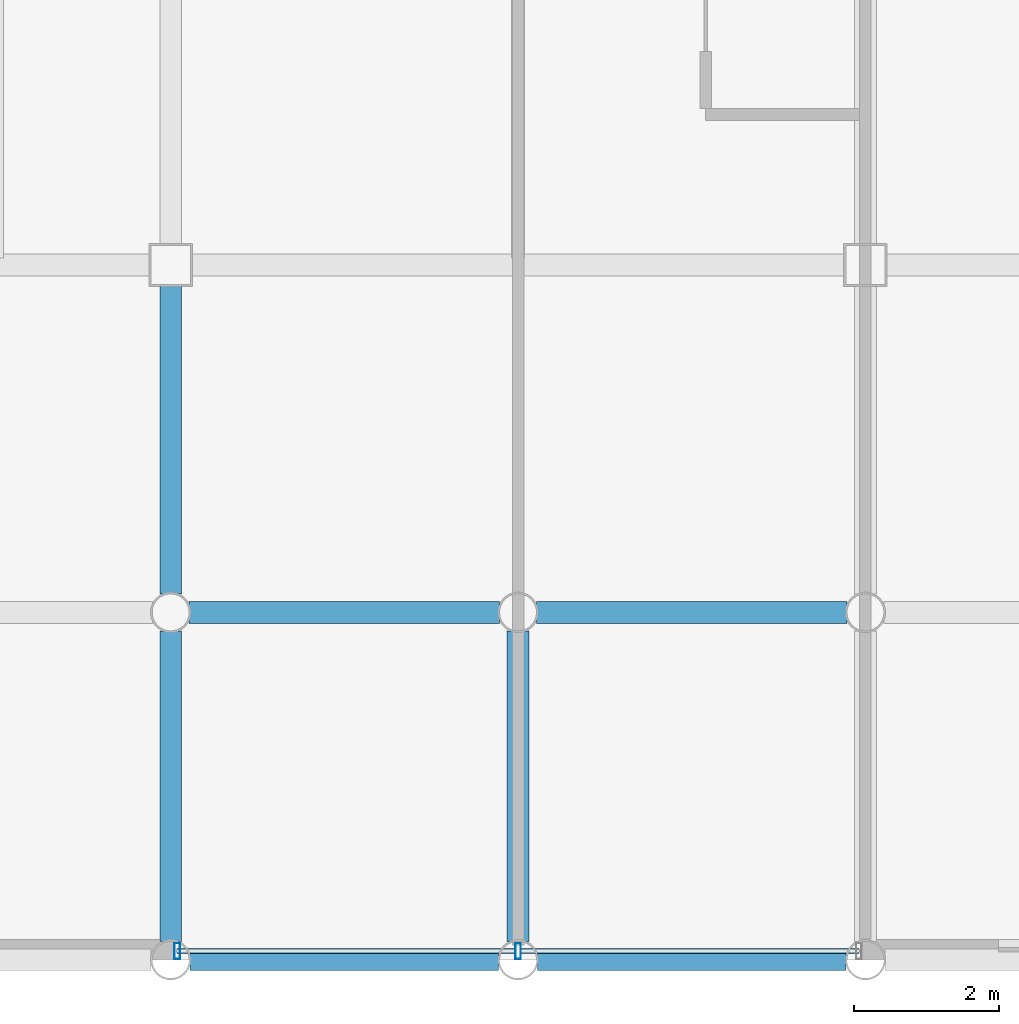
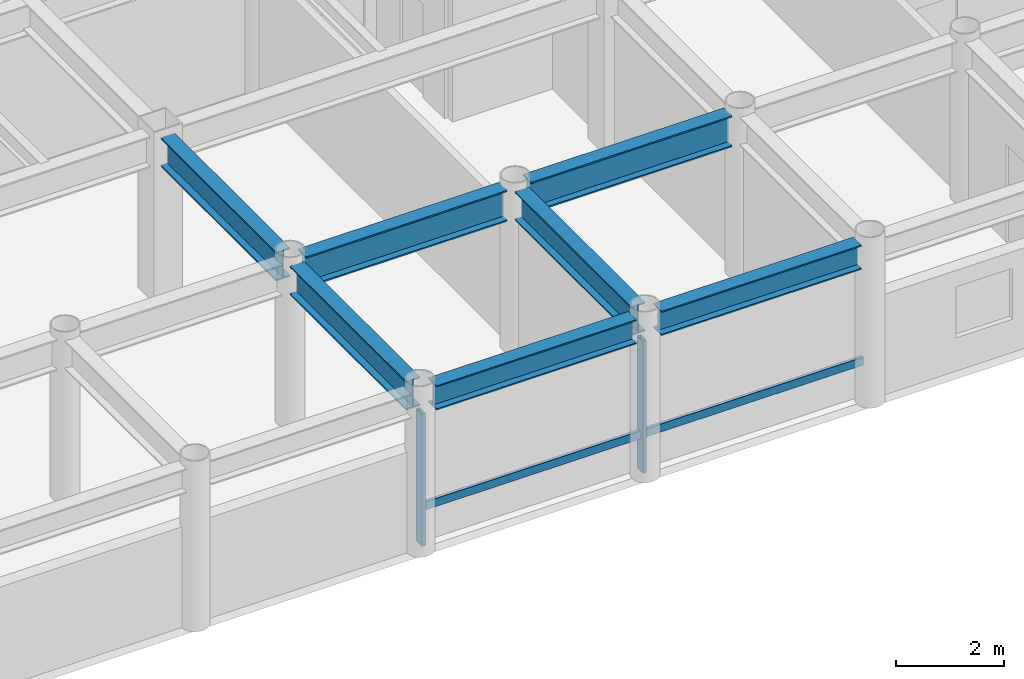
# One storey, part 4 of 22: 7 beams, 4 members, 1 element without a shape of its own.
"""IFC4 building model written with IfcOpenShell, lengths in metres."""

from ifc_helpers import new_model, si_unit, direction, frame, origin, origin_2d, place, context, subcontext, project, spatial, hollow_rectangle, i_section, extrude, material, layer, layer_set, material_profile, profile_set, type_object, element, aggregate, save


model = new_model("IFC4")

# Units and contexts
model_context = context("Model", 3, precision=1e-05, world=origin(), true_north=direction((0.0, 1.0)))
body_context = subcontext(model_context, "Body", "Model", "MODEL_VIEW")
ifc_project = project(units=[si_unit("LENGTHUNIT", "METRE"), si_unit("AREAUNIT", "SQUARE_METRE"), si_unit("VOLUMEUNIT", "CUBIC_METRE"), si_unit("PLANEANGLEUNIT", "RADIAN"), si_unit("MASSUNIT", "GRAM", prefix="KILO")], contexts=[model_context])

# Site, building, storey
site_placement = place(None, origin())
site = spatial("IfcSite", under=ifc_project, at=site_placement, CompositionType="ELEMENT")
building_placement = place(site_placement, origin())
building = spatial("IfcBuilding", under=site, at=building_placement, Name="Kallvorn Hotel Tower", CompositionType="ELEMENT")
storey_placement = place(building_placement, frame((0.0, 0.0, 206.89990234375)))
storey = spatial("IfcBuildingStorey", under=building, at=storey_placement, Name="L51", CompositionType="ELEMENT", Elevation=206.89990234375)

# Beams
ifc_material_1 = material(Name="Structural steel S355JR", Category="steel")
ifc_material_profile_1 = material_profile(ifc_material_1, i_section(OverallWidth=0.300048828125, OverallDepth=0.550048828125, WebThickness=0.014892578125, FlangeThickness=0.029052734375, at=origin_2d()), Name="HE 550 B")
ifc_profile_set_1 = profile_set([ifc_material_profile_1], Name="Structural steel S355JR")
beam_type_1 = type_object("IfcBeamType", Name="BM_HE550B", PredefinedType="SPANDREL", material=ifc_profile_set_1)
for number, where, z_axis, x_axis, name in (
    (1, (-4.530517578125, -24.0, 3.39501953125), (1.0, 0.0, 0.0), (0.0, 1.0, 0.0), "L52 Perimeter Spandrel 155"),
    (2, (0.26953125, -24.0, 3.39501953125), (1.0, 0.0, 0.0), (0.0, 1.0, 0.0), "L52 Perimeter Spandrel 156"),
):
    element("IfcBeam", number, at=place(storey_placement, frame(where, z_axis=z_axis, x_axis=x_axis)), inside=storey, type_object=beam_type_1, Name=name, PredefinedType="SPANDREL", context=body_context, shape_type="SweptSolid", body=[
        extrude(i_section(OverallWidth=0.300048828125, OverallDepth=0.550048828125, WebThickness=0.014892578125, FlangeThickness=0.029052734375, at=origin_2d()), origin(), (0.0, 0.0, 1.0), 4.260986328125),
    ])
ifc_material_2 = material(Name="Structural steel S355JR", Category="steel")
ifc_material_profile_2 = material_profile(ifc_material_2, i_section(OverallWidth=0.300048828125, OverallDepth=0.64990234375, WebThickness=0.01611328125, FlangeThickness=0.031005859375, at=origin_2d()), Name="HE 650 B")
ifc_profile_set_2 = profile_set([ifc_material_profile_2], Name="Structural steel S355JR")
beam_type_2 = type_object("IfcBeamType", Name="BM_HE650B", PredefinedType="BEAM", material=ifc_profile_set_2)
beam_1_placement = place(storey_placement, frame((-4.800048828125, -23.74560546875, 3.34521484375), z_axis=(0.0, 1.0, 0.0), x_axis=(-1.0, 0.0, 0.0)))
element("IfcBeam", 3, at=beam_1_placement, inside=storey, type_object=beam_type_2, Name="L52 Primary Y-Girder 105", PredefinedType="BEAM", context=body_context, shape_type="SweptSolid", body=[
    extrude(i_section(OverallWidth=0.300048828125, OverallDepth=0.64990234375, WebThickness=0.01611328125, FlangeThickness=0.031005859375, at=origin_2d()), origin(), (0.0, 0.0, 1.0), 4.291015625),
])
beam_2_placement = place(storey_placement, frame((-4.800048828125, -18.945556640625, 3.34521484375), z_axis=(0.0, 1.0, 0.0), x_axis=(-1.0, 0.0, 0.0)))
element("IfcBeam", 4, at=beam_2_placement, inside=storey, type_object=beam_type_2, Name="L52 Primary Y-Girder 106", PredefinedType="BEAM", context=body_context, shape_type="SweptSolid", body=[
    extrude(i_section(OverallWidth=0.300048828125, OverallDepth=0.64990234375, WebThickness=0.01611328125, FlangeThickness=0.031005859375, at=origin_2d()), origin(), (0.0, 0.0, 1.0), 4.2705078125),
])
beam_3_placement = place(storey_placement, frame((0.0, -23.74560546875, 3.34521484375), z_axis=(0.0, 1.0, 0.0), x_axis=(-1.0, 0.0, 0.0)))
element("IfcBeam", 5, at=beam_3_placement, inside=storey, type_object=beam_type_2, Name="L52 Primary Y-Girder 110", PredefinedType="BEAM", context=body_context, shape_type="SweptSolid", body=[
    extrude(i_section(OverallWidth=0.300048828125, OverallDepth=0.64990234375, WebThickness=0.01611328125, FlangeThickness=0.031005859375, at=origin_2d()), origin(), (0.0, 0.0, 1.0), 4.291015625),
])
ifc_material_3 = material(Name="Structural steel S355JR", Category="steel")
ifc_material_profile_3 = material_profile(ifc_material_3, i_section(OverallWidth=0.300048828125, OverallDepth=0.699951171875, WebThickness=0.01708984375, FlangeThickness=0.031982421875, at=origin_2d()), Name="HE 700 B")
ifc_profile_set_3 = profile_set([ifc_material_profile_3], Name="Structural steel S355JR")
beam_type_3 = type_object("IfcBeamType", Name="BM_HE700B", PredefinedType="BEAM", material=ifc_profile_set_3)
for number, where, z_axis, x_axis, name in (
    (6, (-4.54541015625, -19.199951171875, 3.320068359375), (1.0, 0.0, 0.0), (0.0, 1.0, 0.0), "L52 Primary X-Girder 06"),
    (7, (0.25439453125, -19.199951171875, 3.320068359375), (1.0, 0.0, 0.0), (0.0, 1.0, 0.0), "L52 Primary X-Girder 07"),
):
    element("IfcBeam", number, at=place(storey_placement, frame(where, z_axis=z_axis, x_axis=x_axis)), inside=storey, type_object=beam_type_3, Name=name, PredefinedType="BEAM", context=body_context, shape_type="SweptSolid", body=[
        extrude(i_section(OverallWidth=0.300048828125, OverallDepth=0.699951171875, WebThickness=0.01708984375, FlangeThickness=0.031982421875, at=origin_2d()), origin(), (0.0, 0.0, 1.0), 4.291015625),
    ])

# Curtain wall, members
ifc_material_4 = material(Name="Thermally broken black-anodised aluminium AA 6063-T6", Category="aluminium")
ifc_layer = layer(ifc_material_4, 0.22998046875)
ifc_layer_set = layer_set([ifc_layer], Name="CW_SYS_5_HOTEL_HIGH")
curtain_wall_type = type_object("IfcCurtainWallType", Name="CW_SYS_5_HOTEL_HIGH", PredefinedType="USERDEFINED", material=ifc_layer_set)
curtain_wall_placement = place(storey_placement, origin())
curtain_wall = element("IfcCurtainWall", 8, at=curtain_wall_placement, inside=storey, type_object=curtain_wall_type, Name="L51 Dark-Glass Curtain Wall CW-L51-SC", ObjectType="UNITISED CURTAIN WALL", PredefinedType="USERDEFINED")
ifc_material_5 = material(Name="Thermally broken black-anodised aluminium AA 6063-T6", Category="aluminium")
ifc_material_profile_4 = material_profile(ifc_material_5, hollow_rectangle(XDim=0.080078125, YDim=0.219970703125, WallThickness=0.0048828125, at=origin_2d()), Name="MUL 220x80")
ifc_profile_set_4 = profile_set([ifc_material_profile_4], Name="Thermally broken black-anodised aluminium AA 6063-T6")
member_type_1 = type_object("IfcMemberType", Name="CW_MULLION_220x80", PredefinedType="MULLION", material=ifc_profile_set_4)
member_1_placement = place(storey_placement, frame((-4.7099609375, -23.8798828125, 0.02001953125), z_axis=(0.0, 0.0, 1.0), x_axis=(1.0, 0.0, 0.0)))
member_1 = element("IfcMember", 9, at=member_1_placement, type_object=member_type_1, Name="CW-L51-SC Mullion 00", PredefinedType="MULLION", context=body_context, shape_type="SweptSolid", body=[
    extrude(hollow_rectangle(XDim=0.080078125, YDim=0.219970703125, WallThickness=0.0048828125, at=origin_2d()), origin(), (0.0, 0.0, 1.0), 2.97998046875),
])
member_2_placement = place(storey_placement, frame((0.0, -23.8798828125, 0.02001953125), z_axis=(0.0, 0.0, 1.0), x_axis=(1.0, 0.0, 0.0)))
member_2 = element("IfcMember", 10, at=member_2_placement, type_object=member_type_1, Name="CW-L51-SC Mullion 01", PredefinedType="MULLION", context=body_context, shape_type="SweptSolid", body=[
    extrude(hollow_rectangle(XDim=0.080078125, YDim=0.219970703125, WallThickness=0.0048828125, at=origin_2d()), origin(), (0.0, 0.0, 1.0), 2.97998046875),
])
ifc_material_6 = material(Name="Thermally broken black-anodised aluminium AA 6063-T6", Category="aluminium")
ifc_material_profile_5 = material_profile(ifc_material_6, hollow_rectangle(XDim=0.070068359375, YDim=0.179931640625, WallThickness=0.00390625, at=origin_2d()), Name="TRN 180x70")
ifc_profile_set_5 = profile_set([ifc_material_profile_5], Name="Thermally broken black-anodised aluminium AA 6063-T6")
member_type_2 = type_object("IfcMemberType", Name="CW_TRANSOM_180x70", PredefinedType="USERDEFINED", material=ifc_profile_set_5)
member_3_placement = place(storey_placement, frame((-4.7099609375, -23.8798828125, 0.85009765625), z_axis=(1.0, 0.0, 0.0), x_axis=(0.0, 1.0, 0.0)))
member_3 = element("IfcMember", 11, at=member_3_placement, type_object=member_type_2, Name="CW-L51-SC Transom 00M", ObjectType="TRANSOM", PredefinedType="USERDEFINED", context=body_context, shape_type="SweptSolid", body=[
    extrude(hollow_rectangle(XDim=0.070068359375, YDim=0.179931640625, WallThickness=0.00390625, at=origin_2d()), origin(), (0.0, 0.0, 1.0), 4.669921875),
])
member_4_placement = place(storey_placement, frame((0.0400390625, -23.8798828125, 0.85009765625), z_axis=(1.0, 0.0, 0.0), x_axis=(0.0, 1.0, 0.0)))
member_4 = element("IfcMember", 12, at=member_4_placement, type_object=member_type_2, Name="CW-L51-SC Transom 01M", ObjectType="TRANSOM", PredefinedType="USERDEFINED", context=body_context, shape_type="SweptSolid", body=[
    extrude(hollow_rectangle(XDim=0.070068359375, YDim=0.179931640625, WallThickness=0.00390625, at=origin_2d()), origin(), (0.0, 0.0, 1.0), 4.669921875),
])
aggregate(curtain_wall, [member_1, member_2, member_3, member_4])

save(model, "model.ifc")
